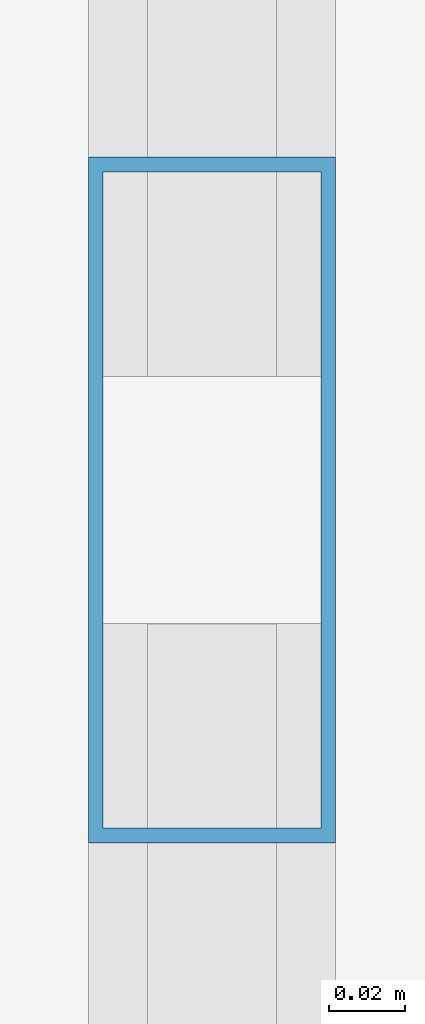
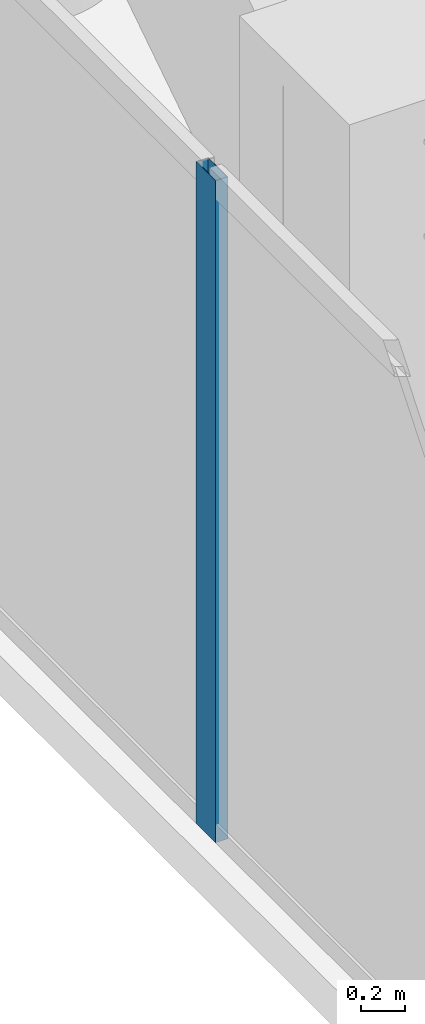
# One storey, part 6 of 22: 1 member, 1 element without a shape of its own.
"""IFC4 building model written with IfcOpenShell, lengths in metres."""

from ifc_helpers import new_model, si_unit, direction, frame, origin, origin_2d, place, context, subcontext, project, spatial, hollow_rectangle, extrude, material, layer, layer_set, material_profile, profile_set, type_object, element, aggregate, save


model = new_model("IFC4")

# Units and contexts
model_context = context("Model", 3, precision=1e-05, world=origin(), true_north=direction((0.0, 1.0)))
body_context = subcontext(model_context, "Body", "Model", "MODEL_VIEW")
ifc_project = project(units=[si_unit("LENGTHUNIT", "METRE"), si_unit("AREAUNIT", "SQUARE_METRE"), si_unit("VOLUMEUNIT", "CUBIC_METRE"), si_unit("PLANEANGLEUNIT", "RADIAN"), si_unit("MASSUNIT", "GRAM", prefix="KILO")], contexts=[model_context])

# Site, building, storey
site_placement = place(None, origin())
site = spatial("IfcSite", under=ifc_project, at=site_placement, CompositionType="ELEMENT")
building_placement = place(site_placement, origin())
building = spatial("IfcBuilding", under=site, at=building_placement, Name="Kiyonajd Concourse Tower", CompositionType="ELEMENT")
storey_placement = place(building_placement, frame((0.0, 0.0, 243.300048828125)))
storey = spatial("IfcBuildingStorey", under=building, at=storey_placement, Name="L61", CompositionType="ELEMENT", Elevation=243.300048828125)

# Curtain wall, member
ifc_material = material(Name="Thermally Broken Anodised Aluminium", Category="aluminium")
ifc_layer = layer(ifc_material, 0.179931640625)
ifc_layer_set = layer_set([ifc_layer], Name="Thermally Broken Anodised Aluminium")
curtain_wall_type = type_object("IfcCurtainWallType", Name="CW-SYS-04", PredefinedType="NOTDEFINED", material=ifc_layer_set)
curtain_wall_placement = place(storey_placement, origin())
curtain_wall = element("IfcCurtainWall", 1, at=curtain_wall_placement, inside=storey, type_object=curtain_wall_type, Name="L61 Unitised Curtain Wall CW4", PredefinedType="NOTDEFINED")
ifc_material_profile = material_profile(ifc_material, hollow_rectangle(XDim=0.06494140625, YDim=0.179931640625, WallThickness=0.00390625, at=origin_2d()), Name="MULL-65x180")
ifc_profile_set = profile_set([ifc_material_profile], Name="Thermally Broken Anodised Aluminium")
member_type = type_object("IfcMemberType", Name="MB-CW-MULL1", PredefinedType="MULLION", material=ifc_profile_set)
member_placement = place(storey_placement, frame((25.340087890625, 53.181396484375, 0.0), z_axis=(0.0, 0.0, 1.0), x_axis=(-1.0, 0.0, 0.0)))
member = element("IfcMember", 2, at=member_placement, type_object=member_type, Name="CW4 mullion 6", PredefinedType="MULLION", context=body_context, shape_type="SweptSolid", body=[
    extrude(hollow_rectangle(XDim=0.06494140625, YDim=0.179931640625, WallThickness=0.00390625, at=origin_2d()), origin(), (0.0, 0.0, 1.0), 3.679931640625),
])
aggregate(curtain_wall, [member])

save(model, "model.ifc")
